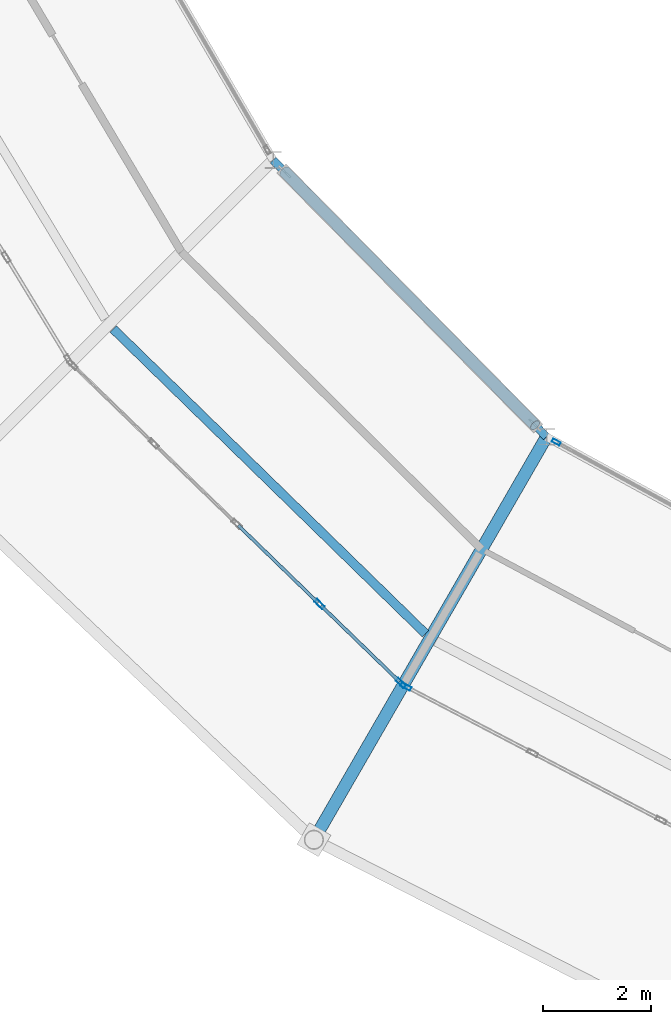
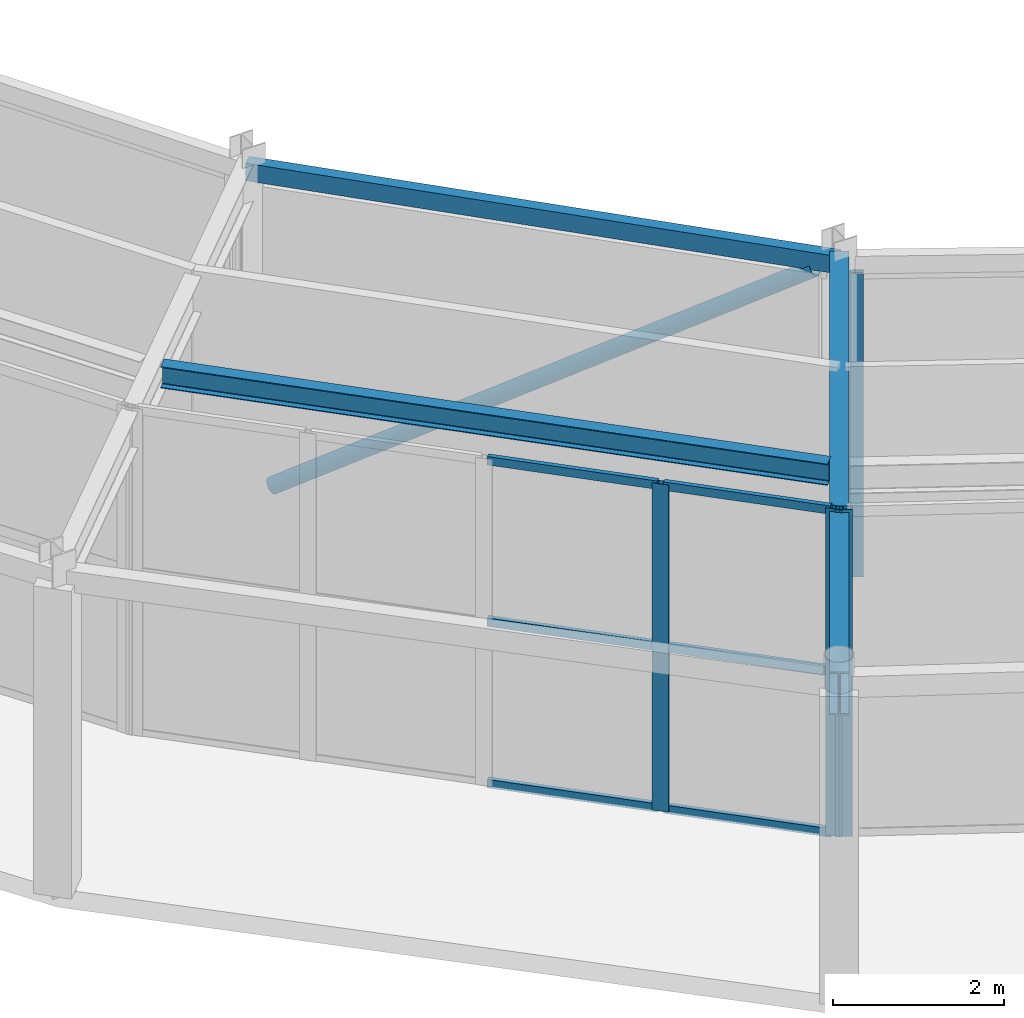
# One storey, part 29 of 144: 11 members, 3 beams, 3 elements without a shape of their own.
"""IFC4 building model written with IfcOpenShell, lengths in metres."""

from ifc_helpers import new_model, si_unit, direction, frame, origin, origin_2d, place, context, subcontext, project, spatial, hollow_rectangle, hollow_circle, i_section, extrude, material, material_profile, profile_set, type_object, element, aggregate, save


model = new_model("IFC4")

# Units and contexts
model_context = context("Model", 3, precision=1e-05, world=origin(), true_north=direction((0.0, 1.0)))
body_context = subcontext(model_context, "Body", "Model", "MODEL_VIEW")
ifc_project = project(units=[si_unit("LENGTHUNIT", "METRE"), si_unit("AREAUNIT", "SQUARE_METRE"), si_unit("VOLUMEUNIT", "CUBIC_METRE"), si_unit("PLANEANGLEUNIT", "RADIAN"), si_unit("MASSUNIT", "GRAM", prefix="KILO")], contexts=[model_context])

# Site, building, storey
site_placement = place(None, origin())
site = spatial("IfcSite", under=ifc_project, at=site_placement, CompositionType="ELEMENT")
building_placement = place(site_placement, origin())
building = spatial("IfcBuilding", under=site, at=building_placement, Name="Karori Crest Natural Sciences Institute", CompositionType="ELEMENT")
storey_placement = place(building_placement, origin())
storey = spatial("IfcBuildingStorey", under=building, at=storey_placement, Name="L00", CompositionType="ELEMENT", Elevation=0.0)

# Beams
ifc_material_1 = material(Name="Structural steel AS/NZS 3679.1 Grade 350", Category="steel")
ifc_material_profile_1 = material_profile(ifc_material_1, i_section(OverallWidth=0.22900390625, OverallDepth=0.612060546875, WebThickness=0.011962890625, FlangeThickness=0.01953125, FilletRadius=0.013916015625, at=origin_2d()), Name="610UB125")
ifc_profile_set_1 = profile_set([ifc_material_profile_1], Name="Structural steel AS/NZS 3679.1 Grade 350")
beam_type_1 = type_object("IfcBeamType", Name="BT-04", PredefinedType="BEAM", material=ifc_profile_set_1)
beam_1_placement = place(storey_placement, frame((54.199951171875, 22.013916015625, 4.333984375), z_axis=(-0.500007509209, -0.866021068297, 0.0), x_axis=(0.866021068297, -0.500007509209, 0.0)))
element("IfcBeam", 1, at=beam_1_placement, inside=storey, type_object=beam_type_1, Name="Beam B-0152", PredefinedType="BEAM", context=body_context, shape_type="SweptSolid", body=[
    extrude(i_section(OverallWidth=0.22900390625, OverallDepth=0.612060546875, WebThickness=0.011962890625, FlangeThickness=0.01953125, FilletRadius=0.013916015625, at=origin_2d()), origin(), (0.0, 0.0, 1.0), 8.599853515625),
])
ifc_material_profile_2 = material_profile(ifc_material_1, i_section(OverallWidth=0.166015625, OverallDepth=0.306884765625, WebThickness=0.006591796875, FlangeThickness=0.01171875, FilletRadius=0.010986328125, at=origin_2d()), Name="310UB46.2")
ifc_profile_set_2 = profile_set([ifc_material_profile_2], Name="Structural steel AS/NZS 3679.1 Grade 350")
beam_type_2 = type_object("IfcBeamType", Name="BT-09", PredefinedType="BEAM", material=ifc_profile_set_2)
beam_2_placement = place(storey_placement, frame((46.19189453125, 24.0068359375, 4.486572265625), z_axis=(0.715681193625, -0.698427110794, 0.0), x_axis=(0.698427110794, 0.715681193625, 0.0)))
element("IfcBeam", 2, at=beam_2_placement, inside=storey, type_object=beam_type_2, Name="Beam B-0149", PredefinedType="BEAM", context=body_context, shape_type="SweptSolid", body=[
    extrude(i_section(OverallWidth=0.166015625, OverallDepth=0.306884765625, WebThickness=0.006591796875, FlangeThickness=0.01171875, FilletRadius=0.010986328125, at=origin_2d()), origin(), (0.0, 0.0, 1.0), 8.0654296875),
])
ifc_material_2 = material(Name="Hollow structural steel AS/NZS 1163 Grade C350", Category="steel")
ifc_material_profile_3 = material_profile(ifc_material_2, hollow_rectangle(XDim=0.14990234375, YDim=0.25, WallThickness=0.009033203125, at=origin_2d()), Name="RHS250x150x9")
ifc_profile_set_3 = profile_set([ifc_material_profile_3], Name="Hollow structural steel AS/NZS 1163 Grade C350")
beam_type_3 = type_object("IfcBeamType", Name="BT-16", PredefinedType="SPANDREL", material=ifc_profile_set_3)
beam_3_placement = place(storey_placement, frame((49.146484375, 27.131103515625, 4.489990234375), z_axis=(0.70266285879, -0.711522948946, 0.0), x_axis=(0.711522948946, 0.70266285879, 0.0)))
element("IfcBeam", 3, at=beam_3_placement, inside=storey, type_object=beam_type_3, Name="Beam B-0147", PredefinedType="SPANDREL", context=body_context, shape_type="SweptSolid", body=[
    extrude(hollow_rectangle(XDim=0.14990234375, YDim=0.25, WallThickness=0.009033203125, at=origin_2d()), origin(), (0.0, 0.0, 1.0), 7.19189453125),
])

# Curtain wall, member
ifc_material_3 = material(Name="Anodised architectural aluminium 6063-T6", Category="aluminium")
curtain_wall_type_1 = type_object("IfcCurtainWallType", Name="CWT-12", PredefinedType="NOTDEFINED", material=ifc_material_3)
curtain_wall_1_placement = place(storey_placement, origin())
curtain_wall_1 = element("IfcCurtainWall", 4, at=curtain_wall_1_placement, inside=storey, type_object=curtain_wall_type_1, Name="Curtain wall CW-0022", PredefinedType="NOTDEFINED")
ifc_material_profile_4 = material_profile(ifc_material_3, hollow_rectangle(XDim=0.06494140625, YDim=0.159912109375, WallThickness=0.00390625, at=origin_2d()), Name="CWM160x65x4")
ifc_profile_set_4 = profile_set([ifc_material_profile_4], Name="Anodised architectural aluminium 6063-T6")
member_type_1 = type_object("IfcMemberType", Name="CWM-01", PredefinedType="MULLION", material=ifc_profile_set_4)
member_1_placement = place(storey_placement, frame((54.379150390625, 21.916015625, 0.0), z_axis=(0.0, 0.0, 1.0), x_axis=(0.479643389875, 0.877463514084, 0.0)))
member_1 = element("IfcMember", 5, at=member_1_placement, type_object=member_type_1, Name="CW-0022 mullion 1", PredefinedType="MULLION", context=body_context, shape_type="SweptSolid", body=[
    extrude(hollow_rectangle(XDim=0.06494140625, YDim=0.159912109375, WallThickness=0.00390625, at=origin_2d()), origin(), (0.0, 0.0, 1.0), 4.35009765625),
])
aggregate(curtain_wall_1, [member_1])

# Curtain wall, members
curtain_wall_type_2 = type_object("IfcCurtainWallType", Name="CWT-06", PredefinedType="NOTDEFINED", material=ifc_material_3)
curtain_wall_2_placement = place(storey_placement, origin())
curtain_wall_2 = element("IfcCurtainWall", 6, at=curtain_wall_2_placement, inside=storey, type_object=curtain_wall_type_2, Name="Curtain wall CW-0020", PredefinedType="NOTDEFINED")
ifc_material_profile_5 = material_profile(ifc_material_3, hollow_rectangle(XDim=0.074951171875, YDim=0.199951171875, WallThickness=0.0048828125, at=origin_2d()), Name="CWM200x75x5")
ifc_profile_set_5 = profile_set([ifc_material_profile_5], Name="Anodised architectural aluminium 6063-T6")
member_type_2 = type_object("IfcMemberType", Name="CWM-02", PredefinedType="MULLION", material=ifc_profile_set_5)
member_2_placement = place(storey_placement, frame((51.5087890625, 17.464111328125, 0.0), z_axis=(0.0, 0.0, 1.0), x_axis=(-0.695838899401, -0.718197901752, 0.0)))
member_2 = element("IfcMember", 7, at=member_2_placement, type_object=member_type_2, Name="CW-0020 mullion 1", PredefinedType="MULLION", context=body_context, shape_type="SweptSolid", body=[
    extrude(hollow_rectangle(XDim=0.074951171875, YDim=0.199951171875, WallThickness=0.0048828125, at=origin_2d()), origin(), (0.0, 0.0, 1.0), 4.679931640625),
])
member_3_placement = place(storey_placement, frame((50.005126953125, 18.9208984375, 0.0), z_axis=(0.0, 0.0, 1.0), x_axis=(-0.695838899401, -0.718197901752, 0.0)))
member_3 = element("IfcMember", 8, at=member_3_placement, type_object=member_type_2, Name="CW-0020 mullion 2", PredefinedType="MULLION", context=body_context, shape_type="SweptSolid", body=[
    extrude(hollow_rectangle(XDim=0.074951171875, YDim=0.199951171875, WallThickness=0.0048828125, at=origin_2d()), origin(), (0.0, 0.0, 1.0), 4.679931640625),
])

# Curtain wall, member
curtain_wall_type_3 = type_object("IfcCurtainWallType", Name="CWT-07", PredefinedType="NOTDEFINED", material=ifc_material_3)
curtain_wall_3_placement = place(storey_placement, origin())
curtain_wall_3 = element("IfcCurtainWall", 9, at=curtain_wall_3_placement, inside=storey, type_object=curtain_wall_type_3, Name="Curtain wall CW-0021", PredefinedType="NOTDEFINED")
member_4_placement = place(storey_placement, frame((51.600830078125, 17.397216796875, 0.0), z_axis=(0.0, 0.0, 1.0), x_axis=(-0.46342574094, -0.88613575858, 0.0)))
member_4 = element("IfcMember", 10, at=member_4_placement, type_object=member_type_2, Name="CW-0021 mullion 4", PredefinedType="MULLION", context=body_context, shape_type="SweptSolid", body=[
    extrude(hollow_rectangle(XDim=0.074951171875, YDim=0.199951171875, WallThickness=0.0048828125, at=origin_2d()), origin(), (0.0, 0.0, 1.0), 4.679931640625),
])
aggregate(curtain_wall_3, [member_4])

# Member
ifc_material_profile_6 = material_profile(ifc_material_3, hollow_rectangle(XDim=0.06005859375, YDim=0.1201171875, WallThickness=0.00390625, at=origin_2d()), Name="CWT120x60x4")
ifc_profile_set_6 = profile_set([ifc_material_profile_6], Name="Anodised architectural aluminium 6063-T6")
member_type_3 = type_object("IfcMemberType", Name="CWT-TR1", PredefinedType="USERDEFINED", material=ifc_profile_set_6)
member_5_placement = place(storey_placement, frame((51.481689453125, 17.489990234375, 0.030029296875), z_axis=(-0.718145778864, 0.695892693093, 0.0), x_axis=(-0.695892693093, -0.718145778864, 0.0)))
member_5 = element("IfcMember", 11, at=member_5_placement, type_object=member_type_3, Name="CW-0020 transom 1.1", ObjectType="TRANSOM", PredefinedType="USERDEFINED", context=body_context, shape_type="SweptSolid", body=[
    extrude(hollow_rectangle(XDim=0.06005859375, YDim=0.1201171875, WallThickness=0.00390625, at=origin_2d()), origin(), (0.0, 0.0, 1.0), 2.018798828125),
])

member_6_placement = place(storey_placement, frame((51.481689453125, 17.489990234375, 2.340087890625), z_axis=(-0.718145778864, 0.695892693093, 0.0), x_axis=(-0.695892693093, -0.718145778864, 0.0)))
member_6 = element("IfcMember", 12, at=member_6_placement, type_object=member_type_3, Name="CW-0020 transom 1.2", ObjectType="TRANSOM", PredefinedType="USERDEFINED", context=body_context, shape_type="SweptSolid", body=[
    extrude(hollow_rectangle(XDim=0.06005859375, YDim=0.1201171875, WallThickness=0.00390625, at=origin_2d()), origin(), (0.0, 0.0, 1.0), 2.018798828125),
])

member_7_placement = place(storey_placement, frame((51.481689453125, 17.489990234375, 4.64990234375), z_axis=(-0.718145778864, 0.695892693093, 0.0), x_axis=(-0.695892693093, -0.718145778864, 0.0)))
member_7 = element("IfcMember", 13, at=member_7_placement, type_object=member_type_3, Name="CW-0020 transom 1.3", ObjectType="TRANSOM", PredefinedType="USERDEFINED", context=body_context, shape_type="SweptSolid", body=[
    extrude(hollow_rectangle(XDim=0.06005859375, YDim=0.1201171875, WallThickness=0.00390625, at=origin_2d()), origin(), (0.0, 0.0, 1.0), 2.018798828125),
])

member_8_placement = place(storey_placement, frame((49.97802734375, 18.947021484375, 0.030029296875), z_axis=(-0.718180876669, 0.695856471111, 0.0), x_axis=(-0.695856471111, -0.718180876669, 0.0)))
member_8 = element("IfcMember", 14, at=member_8_placement, type_object=member_type_3, Name="CW-0020 transom 2.1", ObjectType="TRANSOM", PredefinedType="USERDEFINED", context=body_context, shape_type="SweptSolid", body=[
    extrude(hollow_rectangle(XDim=0.06005859375, YDim=0.1201171875, WallThickness=0.00390625, at=origin_2d()), origin(), (0.0, 0.0, 1.0), 2.055908203125),
])

member_9_placement = place(storey_placement, frame((49.97802734375, 18.947021484375, 2.340087890625), z_axis=(-0.718180876669, 0.695856471111, 0.0), x_axis=(-0.695856471111, -0.718180876669, 0.0)))
member_9 = element("IfcMember", 15, at=member_9_placement, type_object=member_type_3, Name="CW-0020 transom 2.2", ObjectType="TRANSOM", PredefinedType="USERDEFINED", context=body_context, shape_type="SweptSolid", body=[
    extrude(hollow_rectangle(XDim=0.06005859375, YDim=0.1201171875, WallThickness=0.00390625, at=origin_2d()), origin(), (0.0, 0.0, 1.0), 2.055908203125),
])

member_10_placement = place(storey_placement, frame((49.97802734375, 18.947021484375, 4.64990234375), z_axis=(-0.718180876669, 0.695856471111, 0.0), x_axis=(-0.695856471111, -0.718180876669, 0.0)))
member_10 = element("IfcMember", 16, at=member_10_placement, type_object=member_type_3, Name="CW-0020 transom 2.3", ObjectType="TRANSOM", PredefinedType="USERDEFINED", context=body_context, shape_type="SweptSolid", body=[
    extrude(hollow_rectangle(XDim=0.06005859375, YDim=0.1201171875, WallThickness=0.00390625, at=origin_2d()), origin(), (0.0, 0.0, 1.0), 2.055908203125),
])

aggregate(curtain_wall_2, [member_2, member_3, member_5, member_6, member_7, member_8, member_9, member_10])

ifc_material_profile_7 = material_profile(ifc_material_2, hollow_circle(Radius=0.109619140625, WallThickness=0.00830078125, at=origin_2d()), Name="CHS219.1x8.2")
ifc_profile_set_7 = profile_set([ifc_material_profile_7], Name="Hollow structural steel AS/NZS 1163 Grade C350")
member_type_4 = type_object("IfcMemberType", Name="MT-02", PredefinedType="BRACE", material=ifc_profile_set_7)
member_11_placement = place(storey_placement, frame((49.357421875, 26.917724609375, 0.010009765625), z_axis=(0.586881743715, -0.594274993596, 0.549915494308), x_axis=(0.711518857686, 0.702667001614, 0.0)))
element("IfcMember", 17, at=member_11_placement, inside=storey, type_object=member_type_4, Name="Diagonal Brace M-0007", PredefinedType="BRACE", context=body_context, shape_type="SweptSolid", body=[
    extrude(hollow_circle(Radius=0.109619140625, WallThickness=0.00830078125, at=origin_2d()), origin(), (0.0, 0.0, 1.0), 7.892333984375),
])

save(model, "model.ifc")
